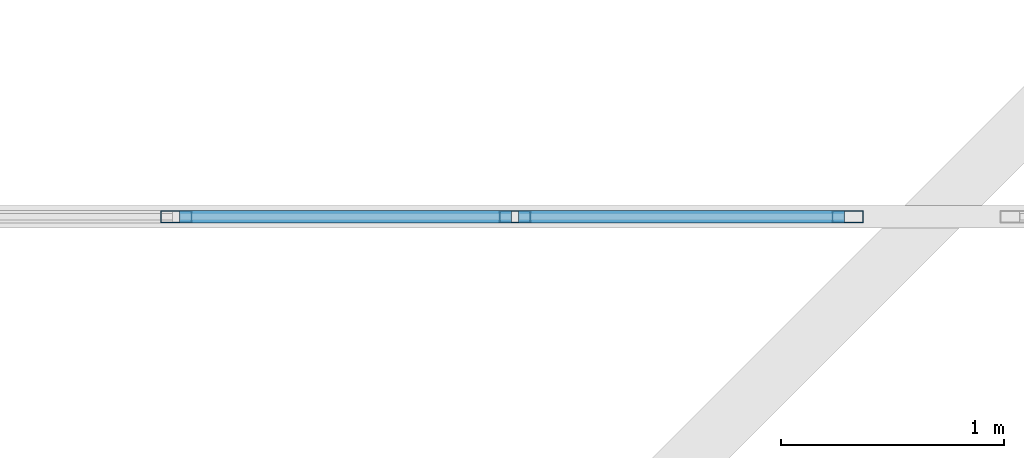
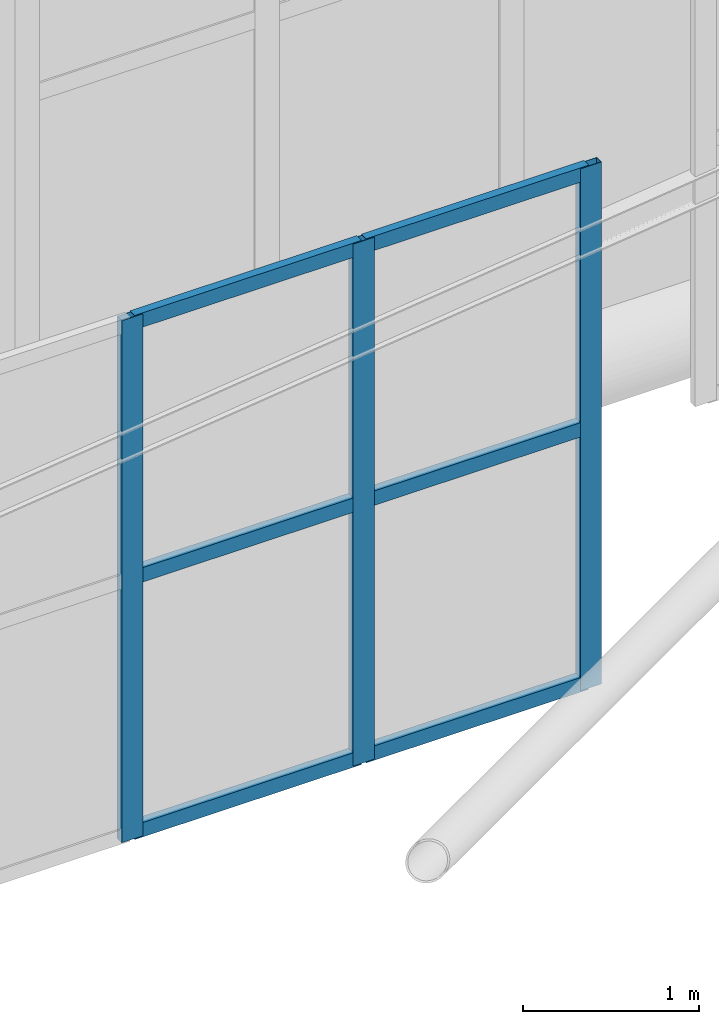
# One storey, part 237 of 397: 9 members, 1 element without a shape of its own.
"""IFC4 building model written with IfcOpenShell, lengths in metres."""

from ifc_helpers import new_model, si_unit, direction, frame, origin, origin_2d, place, context, subcontext, project, spatial, hollow_rectangle, extrude, material, material_profile, profile_set, type_object, element, aggregate, save


model = new_model("IFC4")

# Units and contexts
model_context = context("Model", 3, precision=1e-05, world=origin(), true_north=direction((0.0, 1.0)))
body_context = subcontext(model_context, "Body", "Model", "MODEL_VIEW")
ifc_project = project(units=[si_unit("LENGTHUNIT", "METRE"), si_unit("AREAUNIT", "SQUARE_METRE"), si_unit("VOLUMEUNIT", "CUBIC_METRE"), si_unit("PLANEANGLEUNIT", "RADIAN"), si_unit("MASSUNIT", "GRAM", prefix="KILO")], contexts=[model_context])

# Site, building, storey
site_placement = place(None, origin())
site = spatial("IfcSite", under=ifc_project, at=site_placement, CompositionType="ELEMENT")
building_placement = place(site_placement, origin())
building = spatial("IfcBuilding", under=site, at=building_placement, Name="Qandorah Velis Arena", CompositionType="ELEMENT")
storey_placement = place(building_placement, frame((0.0, 0.0, 27.5)))
storey = spatial("IfcBuildingStorey", under=building, at=storey_placement, Name="RF", CompositionType="ELEMENT", Elevation=27.5)

# Curtain wall, members
ifc_material_1 = material(Name="Solar-control low-E double glazing", Category="glass")
curtain_wall_type = type_object("IfcCurtainWallType", Name="ARC-CW-SYS01", PredefinedType="USERDEFINED", material=ifc_material_1)
curtain_wall_placement = place(storey_placement, origin())
curtain_wall = element("IfcCurtainWall", 1, at=curtain_wall_placement, inside=storey, type_object=curtain_wall_type, Name="Unitised curtain wall MON-4-1", ObjectType="UNITISED CURTAIN WALL", PredefinedType="USERDEFINED")
ifc_material_2 = material(Name="Champagne-bronze anodized aluminium 6063-T6", Category="aluminium")
ifc_material_profile_1 = material_profile(ifc_material_2, hollow_rectangle(XDim=0.054931640625, YDim=0.139892578125, WallThickness=0.0029296875, at=origin_2d()), Name="ALU MULLION 55x140")
ifc_profile_set_1 = profile_set([ifc_material_profile_1], Name="Champagne-bronze anodized aluminium 6063-T6")
member_type_1 = type_object("IfcMemberType", Name="ARC-CWM-140", PredefinedType="MULLION", material=ifc_profile_set_1)
member_1_placement = place(storey_placement, frame((32.60546875, 108.0, 3.625732421875), z_axis=(0.0, 0.0, 1.0), x_axis=(0.0, 1.0, 0.0)))
member_1 = element("IfcMember", 2, at=member_1_placement, type_object=member_type_1, Name="CW01 mullion 8", PredefinedType="MULLION", context=body_context, shape_type="SweptSolid", body=[
    extrude(hollow_rectangle(XDim=0.054931640625, YDim=0.139892578125, WallThickness=0.0029296875, at=origin_2d()), origin(), (0.0, 0.0, 1.0), 3.630126953125),
])
member_2_placement = place(storey_placement, frame((34.127685546875, 108.0, 3.625732421875), z_axis=(0.0, 0.0, 1.0), x_axis=(0.0, 1.0, 0.0)))
member_2 = element("IfcMember", 3, at=member_2_placement, type_object=member_type_1, Name="CW01 mullion 9", PredefinedType="MULLION", context=body_context, shape_type="SweptSolid", body=[
    extrude(hollow_rectangle(XDim=0.054931640625, YDim=0.139892578125, WallThickness=0.0029296875, at=origin_2d()), origin(), (0.0, 0.0, 1.0), 3.630126953125),
])
member_3_placement = place(storey_placement, frame((35.62255859375, 108.0, 3.625732421875), z_axis=(0.0, 0.0, 1.0), x_axis=(0.0, 1.0, 0.0)))
member_3 = element("IfcMember", 4, at=member_3_placement, type_object=member_type_1, Name="CW01 mullion 10", PredefinedType="MULLION", context=body_context, shape_type="SweptSolid", body=[
    extrude(hollow_rectangle(XDim=0.054931640625, YDim=0.139892578125, WallThickness=0.0029296875, at=origin_2d()), origin(), (0.0, 0.0, 1.0), 3.630126953125),
])
ifc_material_profile_2 = material_profile(ifc_material_2, hollow_rectangle(XDim=0.054931640625, YDim=0.10009765625, WallThickness=0.0029296875, at=origin_2d()), Name="ALU TRANSOM 55x100")
ifc_profile_set_2 = profile_set([ifc_material_profile_2], Name="Champagne-bronze anodized aluminium 6063-T6")
member_type_2 = type_object("IfcMemberType", Name="ARC-CWT-100", PredefinedType="USERDEFINED", material=ifc_profile_set_2)
member_4_placement = place(storey_placement, frame((32.62109375, 108.0, 3.668212890625), z_axis=(1.0, 0.0, 0.0), x_axis=(0.0, 1.0, 0.0)))
member_4 = element("IfcMember", 5, at=member_4_placement, type_object=member_type_2, Name="CW01 transom 8.1", ObjectType="TRANSOM", PredefinedType="USERDEFINED", context=body_context, shape_type="SweptSolid", body=[
    extrude(hollow_rectangle(XDim=0.054931640625, YDim=0.10009765625, WallThickness=0.0029296875, at=origin_2d()), origin(), (0.0, 0.0, 1.0), 1.4912109375),
])
member_5_placement = place(storey_placement, frame((32.62109375, 108.0, 5.44091796875), z_axis=(1.0, 0.0, 0.0), x_axis=(0.0, 1.0, 0.0)))
member_5 = element("IfcMember", 6, at=member_5_placement, type_object=member_type_2, Name="CW01 transom 8.2", ObjectType="TRANSOM", PredefinedType="USERDEFINED", context=body_context, shape_type="SweptSolid", body=[
    extrude(hollow_rectangle(XDim=0.054931640625, YDim=0.10009765625, WallThickness=0.0029296875, at=origin_2d()), origin(), (0.0, 0.0, 1.0), 1.4912109375),
])
member_6_placement = place(storey_placement, frame((32.62109375, 108.0, 7.21337890625), z_axis=(1.0, 0.0, 0.0), x_axis=(0.0, 1.0, 0.0)))
member_6 = element("IfcMember", 7, at=member_6_placement, type_object=member_type_2, Name="CW01 transom 8.3", ObjectType="TRANSOM", PredefinedType="USERDEFINED", context=body_context, shape_type="SweptSolid", body=[
    extrude(hollow_rectangle(XDim=0.054931640625, YDim=0.10009765625, WallThickness=0.0029296875, at=origin_2d()), origin(), (0.0, 0.0, 1.0), 1.4912109375),
])
member_7_placement = place(storey_placement, frame((34.143310546875, 108.0, 3.668212890625), z_axis=(1.0, 0.0, 0.0), x_axis=(0.0, 1.0, 0.0)))
member_7 = element("IfcMember", 8, at=member_7_placement, type_object=member_type_2, Name="CW01 transom 9.1", ObjectType="TRANSOM", PredefinedType="USERDEFINED", context=body_context, shape_type="SweptSolid", body=[
    extrude(hollow_rectangle(XDim=0.054931640625, YDim=0.10009765625, WallThickness=0.0029296875, at=origin_2d()), origin(), (0.0, 0.0, 1.0), 1.463623046875),
])
member_8_placement = place(storey_placement, frame((34.143310546875, 108.0, 5.44091796875), z_axis=(1.0, 0.0, 0.0), x_axis=(0.0, 1.0, 0.0)))
member_8 = element("IfcMember", 9, at=member_8_placement, type_object=member_type_2, Name="CW01 transom 9.2", ObjectType="TRANSOM", PredefinedType="USERDEFINED", context=body_context, shape_type="SweptSolid", body=[
    extrude(hollow_rectangle(XDim=0.054931640625, YDim=0.10009765625, WallThickness=0.0029296875, at=origin_2d()), origin(), (0.0, 0.0, 1.0), 1.463623046875),
])
member_9_placement = place(storey_placement, frame((34.143310546875, 108.0, 7.21337890625), z_axis=(1.0, 0.0, 0.0), x_axis=(0.0, 1.0, 0.0)))
member_9 = element("IfcMember", 10, at=member_9_placement, type_object=member_type_2, Name="CW01 transom 9.3", ObjectType="TRANSOM", PredefinedType="USERDEFINED", context=body_context, shape_type="SweptSolid", body=[
    extrude(hollow_rectangle(XDim=0.054931640625, YDim=0.10009765625, WallThickness=0.0029296875, at=origin_2d()), origin(), (0.0, 0.0, 1.0), 1.463623046875),
])
aggregate(curtain_wall, [member_1, member_2, member_3, member_4, member_5, member_6, member_7, member_8, member_9])

save(model, "model.ifc")
